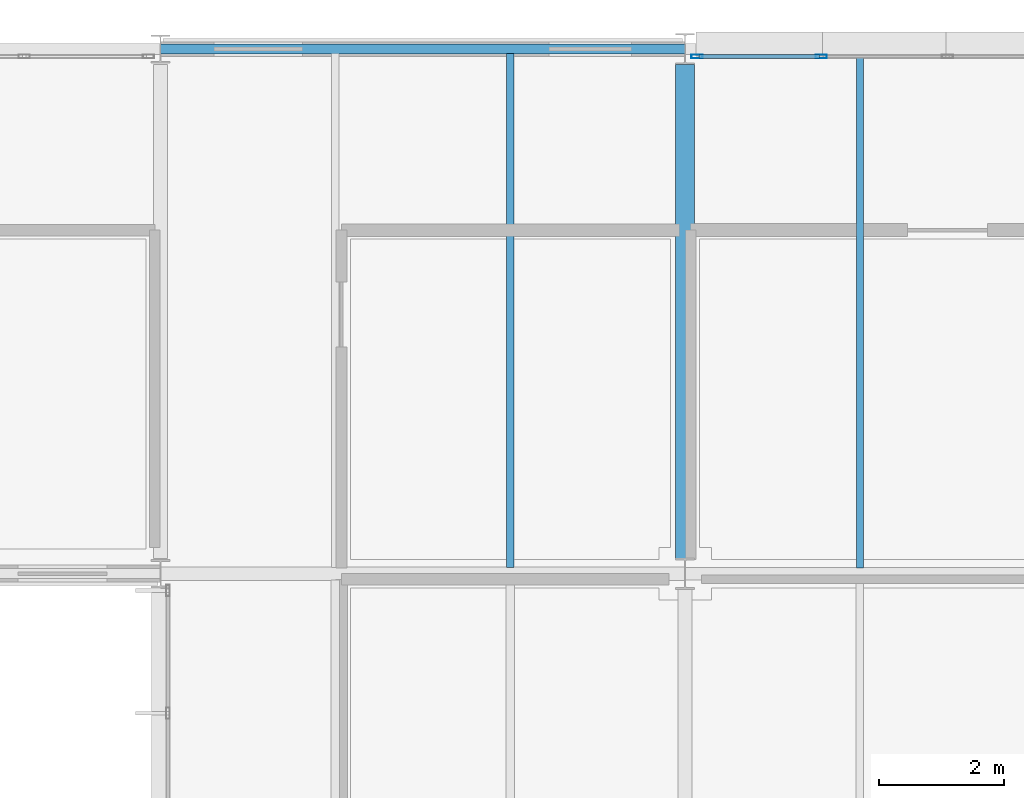
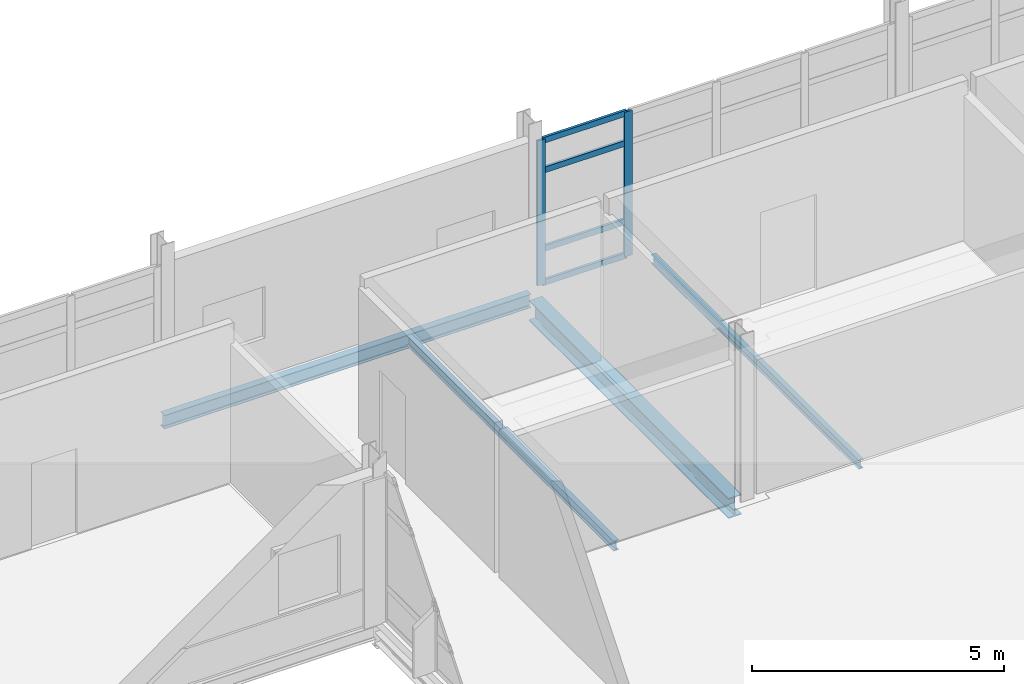
# One storey, part 77 of 131: 6 members, 4 beams, 1 element without a shape of its own.
"""IFC4 building model written with IfcOpenShell, lengths in metres."""

from ifc_helpers import new_model, si_unit, direction, frame, origin, origin_2d, place, context, subcontext, project, spatial, hollow_rectangle, i_section, extrude, material, material_profile, profile_set, type_object, element, aggregate, save


model = new_model("IFC4")

# Units and contexts
model_context = context("Model", 3, precision=1e-05, world=origin(), true_north=direction((0.0, 1.0)))
body_context = subcontext(model_context, "Body", "Model", "MODEL_VIEW")
ifc_project = project(units=[si_unit("LENGTHUNIT", "METRE"), si_unit("AREAUNIT", "SQUARE_METRE"), si_unit("VOLUMEUNIT", "CUBIC_METRE"), si_unit("PLANEANGLEUNIT", "RADIAN"), si_unit("MASSUNIT", "GRAM", prefix="KILO")], contexts=[model_context])

# Site, building, storey
site_placement = place(None, origin())
site = spatial("IfcSite", under=ifc_project, at=site_placement, CompositionType="ELEMENT")
building_placement = place(site_placement, origin())
building = spatial("IfcBuilding", under=site, at=building_placement, Name="Mersafa Astral City Hall", CompositionType="ELEMENT")
storey_placement = place(building_placement, frame((0.0, 0.0, 13.949951171875)))
storey = spatial("IfcBuildingStorey", under=building, at=storey_placement, Name="L03", CompositionType="ELEMENT", Elevation=13.949951171875)

# Curtain wall, members
ifc_material_1 = material(Name="Anodised bronze aluminium framing", Category="aluminium")
curtain_wall_type = type_object("IfcCurtainWallType", Name="ENV-CW-2", PredefinedType="USERDEFINED", material=ifc_material_1)
curtain_wall_placement = place(storey_placement, origin())
curtain_wall = element("IfcCurtainWall", 1, at=curtain_wall_placement, inside=storey, type_object=curtain_wall_type, Name="L03 Unitised solar curtain wall 169", ObjectType="UNITISED CURTAIN WALL", PredefinedType="USERDEFINED")
ifc_material_profile_1 = material_profile(ifc_material_1, hollow_rectangle(XDim=0.06005859375, YDim=0.179931640625, WallThickness=0.00390625, at=origin_2d()), Name="RHS 60x180x4")
ifc_profile_set_1 = profile_set([ifc_material_profile_1], Name="Anodised bronze aluminium framing")
member_type_1 = type_object("IfcMemberType", Name="ENV-CW-MUL-1", PredefinedType="MULLION", material=ifc_profile_set_1)
member_1_placement = place(storey_placement, frame((111.381103515625, 125.8798828125, -0.001953125), z_axis=(0.0, 0.0, 1.0), x_axis=(0.0, -1.0, 0.0)))
member_1 = element("IfcMember", 2, at=member_1_placement, type_object=member_type_1, Name="CW-2 mullion 4", PredefinedType="MULLION", context=body_context, shape_type="SweptSolid", body=[
    extrude(hollow_rectangle(XDim=0.06005859375, YDim=0.179931640625, WallThickness=0.00390625, at=origin_2d()), origin(), (0.0, 0.0, 1.0), 3.50390625),
])
member_2_placement = place(storey_placement, frame((109.39208984375, 125.8798828125, -0.001953125), z_axis=(0.0, 0.0, 1.0), x_axis=(0.0, -1.0, 0.0)))
member_2 = element("IfcMember", 3, at=member_2_placement, type_object=member_type_1, Name="CW-2 mullion 5", PredefinedType="MULLION", context=body_context, shape_type="SweptSolid", body=[
    extrude(hollow_rectangle(XDim=0.06005859375, YDim=0.179931640625, WallThickness=0.00390625, at=origin_2d()), origin(), (0.0, 0.0, 1.0), 3.50390625),
])
ifc_material_profile_2 = material_profile(ifc_material_1, hollow_rectangle(XDim=0.06005859375, YDim=0.139892578125, WallThickness=0.00390625, at=origin_2d()), Name="RHS 60x140x4")
ifc_profile_set_2 = profile_set([ifc_material_profile_2], Name="Anodised bronze aluminium framing")
member_type_2 = type_object("IfcMemberType", Name="ENV-CW-TRN-1", PredefinedType="USERDEFINED", material=ifc_profile_set_2)
member_3_placement = place(storey_placement, frame((111.35107421875, 125.8798828125, 0.028076171875), z_axis=(-1.0, 0.0, 0.0), x_axis=(0.0, -1.0, 0.0)))
member_3 = element("IfcMember", 4, at=member_3_placement, type_object=member_type_2, Name="CW-2 transom 4.1", ObjectType="TRANSOM", PredefinedType="USERDEFINED", context=body_context, shape_type="SweptSolid", body=[
    extrude(hollow_rectangle(XDim=0.06005859375, YDim=0.139892578125, WallThickness=0.00390625, at=origin_2d()), origin(), (0.0, 0.0, 1.0), 1.928955078125),
])
member_4_placement = place(storey_placement, frame((111.35107421875, 125.8798828125, 0.85009765625), z_axis=(-1.0, 0.0, 0.0), x_axis=(0.0, -1.0, 0.0)))
member_4 = element("IfcMember", 5, at=member_4_placement, type_object=member_type_2, Name="CW-2 transom 4.2", ObjectType="TRANSOM", PredefinedType="USERDEFINED", context=body_context, shape_type="SweptSolid", body=[
    extrude(hollow_rectangle(XDim=0.06005859375, YDim=0.139892578125, WallThickness=0.00390625, at=origin_2d()), origin(), (0.0, 0.0, 1.0), 1.928955078125),
])
member_5_placement = place(storey_placement, frame((111.35107421875, 125.8798828125, 2.75), z_axis=(-1.0, 0.0, 0.0), x_axis=(0.0, -1.0, 0.0)))
member_5 = element("IfcMember", 6, at=member_5_placement, type_object=member_type_2, Name="CW-2 transom 4.3", ObjectType="TRANSOM", PredefinedType="USERDEFINED", context=body_context, shape_type="SweptSolid", body=[
    extrude(hollow_rectangle(XDim=0.06005859375, YDim=0.139892578125, WallThickness=0.00390625, at=origin_2d()), origin(), (0.0, 0.0, 1.0), 1.928955078125),
])
member_6_placement = place(storey_placement, frame((111.35107421875, 125.8798828125, 3.47216796875), z_axis=(-1.0, 0.0, 0.0), x_axis=(0.0, -1.0, 0.0)))
member_6 = element("IfcMember", 7, at=member_6_placement, type_object=member_type_2, Name="CW-2 transom 4.4", ObjectType="TRANSOM", PredefinedType="USERDEFINED", context=body_context, shape_type="SweptSolid", body=[
    extrude(hollow_rectangle(XDim=0.06005859375, YDim=0.139892578125, WallThickness=0.00390625, at=origin_2d()), origin(), (0.0, 0.0, 1.0), 1.928955078125),
])
aggregate(curtain_wall, [member_1, member_2, member_3, member_4, member_5, member_6])

# Beams
ifc_material_2 = material(Name="Steel S355", Category="steel")
ifc_material_profile_3 = material_profile(ifc_material_2, i_section(OverallWidth=0.300048828125, OverallDepth=0.489990234375, WebThickness=0.011962890625, FlangeThickness=0.02294921875, FilletRadius=0.027099609375, at=origin_2d()), Name="HEA 500")
ifc_profile_set_3 = profile_set([ifc_material_profile_3], Name="Steel S355")
beam_type_1 = type_object("IfcBeamType", Name="STR-BM-HEA500", PredefinedType="BEAM", material=ifc_profile_set_3)
beam_1_placement = place(storey_placement, frame((109.199951171875, 117.844970703125, -0.445068359375), z_axis=(0.0, 1.0, 0.0), x_axis=(-1.0, 0.0, 0.0)))
element("IfcBeam", 8, at=beam_1_placement, inside=storey, type_object=beam_type_1, Name="L03 Primary girder Y 13-14", PredefinedType="BEAM", context=body_context, shape_type="SweptSolid", body=[
    extrude(i_section(OverallWidth=0.300048828125, OverallDepth=0.489990234375, WebThickness=0.011962890625, FlangeThickness=0.02294921875, FilletRadius=0.027099609375, at=origin_2d()), origin(), (0.0, 0.0, 1.0), 7.909912109375),
])
ifc_material_profile_4 = material_profile(ifc_material_2, i_section(OverallWidth=0.110107421875, OverallDepth=0.219970703125, WebThickness=0.005859375, FlangeThickness=0.00927734375, FilletRadius=0.011962890625, at=origin_2d()), Name="IPE 220")
ifc_profile_set_4 = profile_set([ifc_material_profile_4], Name="Steel S355")
beam_type_2 = type_object("IfcBeamType", Name="STR-BM-JOIST-IPE220", PredefinedType="JOIST", material=ifc_profile_set_4)
beam_2_placement = place(storey_placement, frame((112.0, 117.695068359375, -0.31005859375), z_axis=(0.0, 1.0, 0.0), x_axis=(-1.0, 0.0, 0.0)))
element("IfcBeam", 9, at=beam_2_placement, inside=storey, type_object=beam_type_2, Name="L03 Composite secondary floor joist 628", PredefinedType="JOIST", context=body_context, shape_type="SweptSolid", body=[
    extrude(i_section(OverallWidth=0.110107421875, OverallDepth=0.219970703125, WebThickness=0.005859375, FlangeThickness=0.00927734375, FilletRadius=0.011962890625, at=origin_2d()), origin(), (0.0, 0.0, 1.0), 8.224853515625),
])
ifc_material_profile_5 = material_profile(ifc_material_2, i_section(OverallWidth=0.1201171875, OverallDepth=0.239990234375, WebThickness=0.006103515625, FlangeThickness=0.009765625, FilletRadius=0.014892578125, at=origin_2d()), Name="IPE 240")
ifc_profile_set_5 = profile_set([ifc_material_profile_5], Name="Steel S355")
beam_type_3 = type_object("IfcBeamType", Name="STR-BM-JOIST-IPE240", PredefinedType="JOIST", material=ifc_profile_set_5)
beam_3_placement = place(storey_placement, frame((106.39990234375, 117.699951171875, -0.320068359375), z_axis=(0.0, 1.0, 0.0), x_axis=(-1.0, 0.0, 0.0)))
element("IfcBeam", 10, at=beam_3_placement, inside=storey, type_object=beam_type_3, Name="L03 Composite secondary floor joist 605", PredefinedType="JOIST", context=body_context, shape_type="SweptSolid", body=[
    extrude(i_section(OverallWidth=0.1201171875, OverallDepth=0.239990234375, WebThickness=0.006103515625, FlangeThickness=0.009765625, FilletRadius=0.014892578125, at=origin_2d()), origin(), (0.0, 0.0, 1.0), 8.22509765625),
])
ifc_material_profile_6 = material_profile(ifc_material_2, i_section(OverallWidth=0.159912109375, OverallDepth=0.330078125, WebThickness=0.007568359375, FlangeThickness=0.011474609375, FilletRadius=0.01806640625, at=origin_2d()), Name="IPE 330")
ifc_profile_set_6 = profile_set([ifc_material_profile_6], Name="Steel S355")
beam_type_4 = type_object("IfcBeamType", Name="STR-BM-SPANDREL-IPE330", PredefinedType="SPANDREL", material=ifc_profile_set_6)
beam_4_placement = place(storey_placement, frame((100.802978515625, 126.0, -0.364990234375), z_axis=(1.0, 0.0, 0.0), x_axis=(0.0, 1.0, 0.0)))
element("IfcBeam", 11, at=beam_4_placement, inside=storey, type_object=beam_type_4, Name="L03 Primary girder X 12-15", PredefinedType="SPANDREL", context=body_context, shape_type="SweptSolid", body=[
    extrude(i_section(OverallWidth=0.159912109375, OverallDepth=0.330078125, WebThickness=0.007568359375, FlangeThickness=0.011474609375, FilletRadius=0.01806640625, at=origin_2d()), origin(), (0.0, 0.0, 1.0), 8.39404296875),
])

save(model, "model.ifc")
